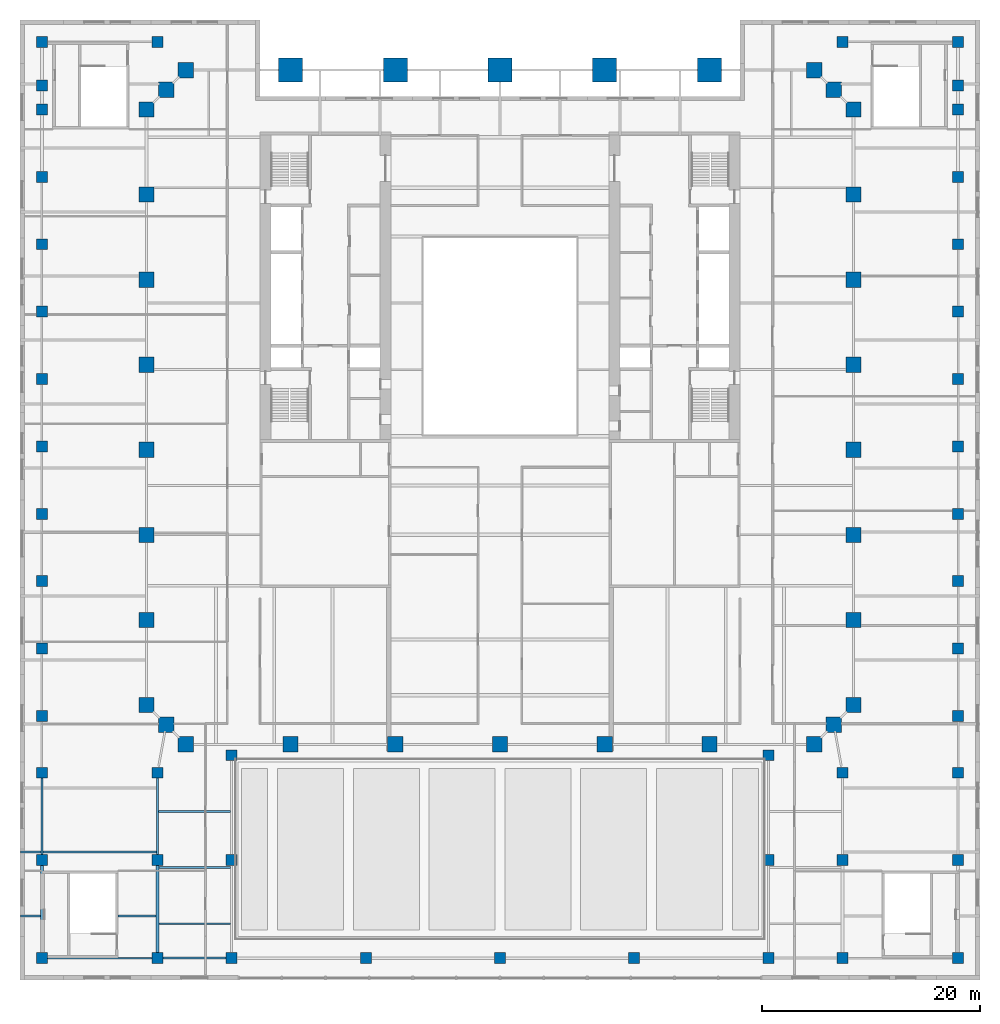
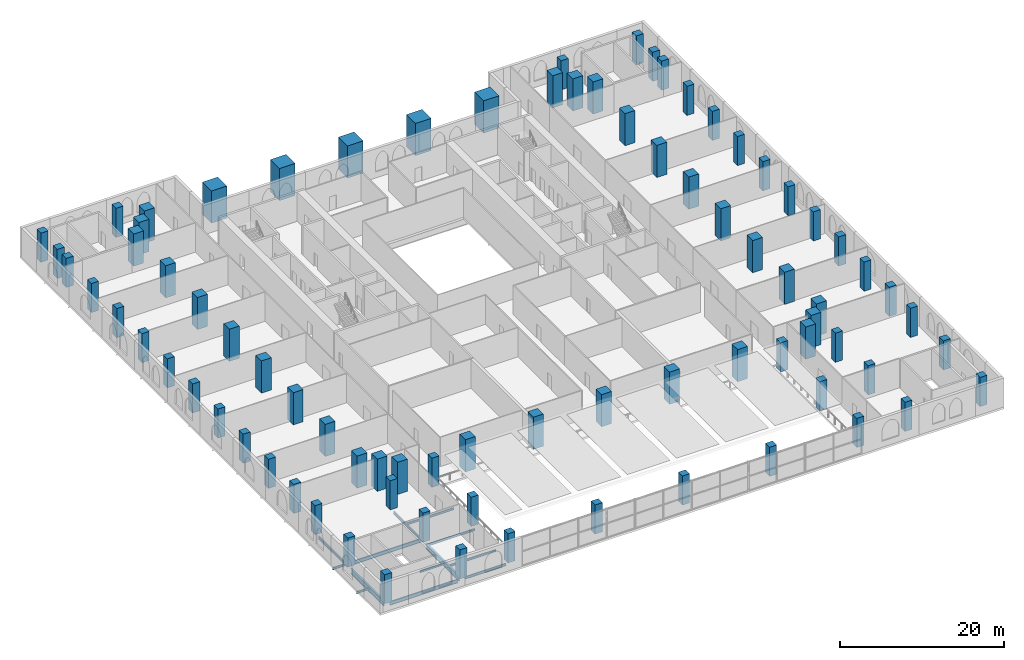
# One storey, part 1 of 18: 81 columns, 13 beams.
"""IFC4 building model written with IfcOpenShell, lengths in metres."""

from ifc_helpers import new_model, si_unit, direction, frame, origin, origin_2d, place, context, subcontext, project, spatial, rectangle, i_section, extrude, material, material_profile, profile_set, type_object, element, save


model = new_model("IFC4")

# Units and contexts
model_context = context("Model", 3, precision=1e-05, world=origin(), true_north=direction((0.0, 1.0)))
body_context = subcontext(model_context, "Body", "Model", "MODEL_VIEW")
ifc_project = project(units=[si_unit("LENGTHUNIT", "METRE"), si_unit("AREAUNIT", "SQUARE_METRE"), si_unit("VOLUMEUNIT", "CUBIC_METRE"), si_unit("PLANEANGLEUNIT", "RADIAN"), si_unit("MASSUNIT", "GRAM", prefix="KILO")], contexts=[model_context])

# Site, building, storey
site_placement = place(None, origin())
site = spatial("IfcSite", under=ifc_project, at=site_placement, CompositionType="ELEMENT")
building_placement = place(site_placement, origin())
building = spatial("IfcBuilding", under=site, at=building_placement, Name="Ogive Exchange Tower", CompositionType="ELEMENT")
storey_placement = place(building_placement, frame((0.0, 0.0, 28.800048828125)))
storey = spatial("IfcBuildingStorey", under=building, at=storey_placement, Name="L05", CompositionType="ELEMENT", Elevation=28.800048828125)

# Columns
ifc_material_1 = material(Name="Concrete C70/85", Category="concrete")
ifc_material_profile_1 = material_profile(ifc_material_1, rectangle(XDim=1.0, YDim=1.0, at=origin_2d()), Name="RC 1000x1000")
ifc_profile_set_1 = profile_set([ifc_material_profile_1], Name="Concrete C70/85")
column_type_1 = type_object("IfcColumnType", Name="RC column 1000x1000", PredefinedType="COLUMN", material=ifc_profile_set_1)
for number, where, z_axis, x_axis, name in (
    (1, (-42.0, -50.0, 0.0), (0.0, 0.0, 1.0), (1.0, 0.0, 0.0), "Podium column"),
    (2, (-31.39990234375, -50.0, 0.0), (0.0, 0.0, 1.0), (1.0, 0.0, 0.0), "Podium column"),
    (3, (-24.60009765625, -50.0, 0.0), (0.0, 0.0, 1.0), (1.0, 0.0, 0.0), "Podium column"),
    (4, (-12.300048828125, -50.0, 0.0), (0.0, 0.0, 1.0), (1.0, 0.0, 0.0), "Podium column"),
    (5, (0.0, -50.0, 0.0), (0.0, 0.0, 1.0), (1.0, 0.0, 0.0), "Podium column"),
    (6, (12.300048828125, -50.0, 0.0), (0.0, 0.0, 1.0), (1.0, 0.0, 0.0), "Podium column"),
    (7, (24.60009765625, -50.0, 0.0), (0.0, 0.0, 1.0), (1.0, 0.0, 0.0), "Podium column"),
    (8, (31.39990234375, -50.0, 0.0), (0.0, 0.0, 1.0), (1.0, 0.0, 0.0), "Podium column"),
    (9, (42.0, -50.0, 0.0), (0.0, 0.0, 1.0), (1.0, 0.0, 0.0), "Podium column"),
    (10, (-42.0, -41.0, 0.0), (0.0, 0.0, 1.0), (1.0, 0.0, 0.0), "Podium column"),
    (11, (-31.39990234375, -41.0, 0.0), (0.0, 0.0, 1.0), (1.0, 0.0, 0.0), "Podium column"),
    (12, (-24.60009765625, -41.0, 0.0), (0.0, 0.0, 1.0), (1.0, 0.0, 0.0), "Podium column"),
    (13, (24.60009765625, -41.0, 0.0), (0.0, 0.0, 1.0), (1.0, 0.0, 0.0), "Podium column"),
    (14, (31.39990234375, -41.0, 0.0), (0.0, 0.0, 1.0), (1.0, 0.0, 0.0), "Podium column"),
    (15, (42.0, -41.0, 0.0), (0.0, 0.0, 1.0), (1.0, 0.0, 0.0), "Podium column"),
    (16, (-42.0, -33.0, 0.0), (0.0, 0.0, 1.0), (1.0, 0.0, 0.0), "Podium column"),
    (17, (-31.39990234375, -33.0, 0.0), (0.0, 0.0, 1.0), (1.0, 0.0, 0.0), "Podium column"),
    (18, (31.39990234375, -33.0, 0.0), (0.0, 0.0, 1.0), (1.0, 0.0, 0.0), "Podium column"),
    (19, (42.0, -33.0, 0.0), (0.0, 0.0, 1.0), (1.0, 0.0, 0.0), "Podium column"),
    (20, (-24.60009765625, -31.39990234375, 0.0), (0.0, 0.0, 1.0), (1.0, 0.0, 0.0), "Podium column"),
    (21, (24.60009765625, -31.39990234375, 0.0), (0.0, 0.0, 1.0), (1.0, 0.0, 0.0), "Podium column"),
    (22, (-42.0, -27.800048828125, 0.0), (0.0, 0.0, 1.0), (1.0, 0.0, 0.0), "Podium column"),
    (23, (42.0, -27.800048828125, 0.0), (0.0, 0.0, 1.0), (1.0, 0.0, 0.0), "Podium column"),
    (24, (-42.0, -21.6201171875, 0.0), (0.0, 0.0, 1.0), (1.0, 0.0, 0.0), "Podium column"),
    (25, (42.0, -21.6201171875, 0.0), (0.0, 0.0, 1.0), (1.0, 0.0, 0.0), "Podium column"),
    (26, (-42.0, -15.43994140625, 0.0), (0.0, 0.0, 1.0), (1.0, 0.0, 0.0), "Podium column"),
    (27, (42.0, -15.43994140625, 0.0), (0.0, 0.0, 1.0), (1.0, 0.0, 0.0), "Podium column"),
    (28, (-42.0, -9.27001953125, 0.0), (0.0, 0.0, 1.0), (1.0, 0.0, 0.0), "Podium column"),
    (29, (42.0, -9.27001953125, 0.0), (0.0, 0.0, 1.0), (1.0, 0.0, 0.0), "Podium column"),
    (30, (-42.0, -3.090087890625, 0.0), (0.0, 0.0, 1.0), (1.0, 0.0, 0.0), "Podium column"),
    (31, (42.0, -3.090087890625, 0.0), (0.0, 0.0, 1.0), (1.0, 0.0, 0.0), "Podium column"),
    (32, (-42.0, 3.090087890625, 0.0), (0.0, 0.0, 1.0), (1.0, 0.0, 0.0), "Podium column"),
    (33, (42.0, 3.090087890625, 0.0), (0.0, 0.0, 1.0), (1.0, 0.0, 0.0), "Podium column"),
    (34, (-42.0, 9.27001953125, 0.0), (0.0, 0.0, 1.0), (1.0, 0.0, 0.0), "Podium column"),
    (35, (42.0, 9.27001953125, 0.0), (0.0, 0.0, 1.0), (1.0, 0.0, 0.0), "Podium column"),
    (36, (-42.0, 15.43994140625, 0.0), (0.0, 0.0, 1.0), (1.0, 0.0, 0.0), "Podium column"),
    (37, (42.0, 15.43994140625, 0.0), (0.0, 0.0, 1.0), (1.0, 0.0, 0.0), "Podium column"),
    (38, (-42.0, 21.6201171875, 0.0), (0.0, 0.0, 1.0), (1.0, 0.0, 0.0), "Podium column"),
    (39, (42.0, 21.6201171875, 0.0), (0.0, 0.0, 1.0), (1.0, 0.0, 0.0), "Podium column"),
    (40, (-42.0, 27.800048828125, 0.0), (0.0, 0.0, 1.0), (1.0, 0.0, 0.0), "Podium column"),
    (41, (42.0, 27.800048828125, 0.0), (0.0, 0.0, 1.0), (1.0, 0.0, 0.0), "Podium column"),
    (42, (-42.0, 30.0, 0.0), (0.0, 0.0, 1.0), (1.0, 0.0, 0.0), "Podium column"),
    (43, (42.0, 30.0, 0.0), (0.0, 0.0, 1.0), (1.0, 0.0, 0.0), "Podium column"),
    (44, (-42.0, 34.0, 0.0), (0.0, 0.0, 1.0), (1.0, 0.0, 0.0), "Podium column"),
    (45, (-31.39990234375, 34.0, 0.0), (0.0, 0.0, 1.0), (1.0, 0.0, 0.0), "Podium column"),
    (46, (31.39990234375, 34.0, 0.0), (0.0, 0.0, 1.0), (1.0, 0.0, 0.0), "Podium column"),
    (47, (42.0, 34.0, 0.0), (0.0, 0.0, 1.0), (1.0, 0.0, 0.0), "Podium column"),
):
    element("IfcColumn", number, at=place(storey_placement, frame(where, z_axis=z_axis, x_axis=x_axis)), inside=storey, type_object=column_type_1, Name=name, PredefinedType="COLUMN", context=body_context, shape_type="SweptSolid", body=[
        extrude(rectangle(XDim=1.0, YDim=1.0, at=origin_2d()), origin(), (0.0, 0.0, 1.0), 4.349853515625),
    ])
ifc_material_profile_2 = material_profile(ifc_material_1, rectangle(XDim=1.39990234375, YDim=1.39990234375, at=origin_2d()), Name="RC 1400x1400")
ifc_profile_set_2 = profile_set([ifc_material_profile_2], Name="Concrete C70/85")
column_type_2 = type_object("IfcColumnType", Name="RC column 1400x1400", PredefinedType="COLUMN", material=ifc_profile_set_2)
for number, where, z_axis, x_axis, name in (
    (48, (-28.800048828125, -30.39990234375, 0.0), (0.0, 0.0, 1.0), (1.0, 0.0, 0.0), "Leg column"),
    (49, (-19.199951171875, -30.39990234375, 0.0), (0.0, 0.0, 1.0), (1.0, 0.0, 0.0), "Leg column"),
    (50, (-9.60009765625, -30.39990234375, 0.0), (0.0, 0.0, 1.0), (1.0, 0.0, 0.0), "Leg column"),
    (51, (0.0, -30.39990234375, 0.0), (0.0, 0.0, 1.0), (1.0, 0.0, 0.0), "Leg column"),
    (52, (9.60009765625, -30.39990234375, 0.0), (0.0, 0.0, 1.0), (1.0, 0.0, 0.0), "Leg column"),
    (53, (19.199951171875, -30.39990234375, 0.0), (0.0, 0.0, 1.0), (1.0, 0.0, 0.0), "Leg column"),
    (54, (28.800048828125, -30.39990234375, 0.0), (0.0, 0.0, 1.0), (1.0, 0.0, 0.0), "Leg column"),
    (55, (-30.60009765625, -28.60009765625, 0.0), (0.0, 0.0, 1.0), (1.0, 0.0, 0.0), "Leg column"),
    (56, (30.60009765625, -28.60009765625, 0.0), (0.0, 0.0, 1.0), (1.0, 0.0, 0.0), "Leg column"),
    (57, (-32.39990234375, -26.800048828125, 0.0), (0.0, 0.0, 1.0), (1.0, 0.0, 0.0), "Leg column"),
    (58, (32.39990234375, -26.800048828125, 0.0), (0.0, 0.0, 1.0), (1.0, 0.0, 0.0), "Leg column"),
    (59, (-32.39990234375, -19.0, 0.0), (0.0, 0.0, 1.0), (1.0, 0.0, 0.0), "Leg column"),
    (60, (32.39990234375, -19.0, 0.0), (0.0, 0.0, 1.0), (1.0, 0.0, 0.0), "Leg column"),
    (61, (-32.39990234375, -11.199951171875, 0.0), (0.0, 0.0, 1.0), (1.0, 0.0, 0.0), "Leg column"),
    (62, (32.39990234375, -11.199951171875, 0.0), (0.0, 0.0, 1.0), (1.0, 0.0, 0.0), "Leg column"),
    (63, (-32.39990234375, -3.39990234375, 0.0), (0.0, 0.0, 1.0), (1.0, 0.0, 0.0), "Leg column"),
    (64, (32.39990234375, -3.39990234375, 0.0), (0.0, 0.0, 1.0), (1.0, 0.0, 0.0), "Leg column"),
    (65, (-32.39990234375, 4.39990234375, 0.0), (0.0, 0.0, 1.0), (1.0, 0.0, 0.0), "Leg column"),
    (66, (32.39990234375, 4.39990234375, 0.0), (0.0, 0.0, 1.0), (1.0, 0.0, 0.0), "Leg column"),
    (67, (-32.39990234375, 12.199951171875, 0.0), (0.0, 0.0, 1.0), (1.0, 0.0, 0.0), "Leg column"),
    (68, (32.39990234375, 12.199951171875, 0.0), (0.0, 0.0, 1.0), (1.0, 0.0, 0.0), "Leg column"),
    (69, (-32.39990234375, 20.0, 0.0), (0.0, 0.0, 1.0), (1.0, 0.0, 0.0), "Leg column"),
    (70, (32.39990234375, 20.0, 0.0), (0.0, 0.0, 1.0), (1.0, 0.0, 0.0), "Leg column"),
    (71, (-32.39990234375, 27.800048828125, 0.0), (0.0, 0.0, 1.0), (1.0, 0.0, 0.0), "Leg column"),
    (72, (32.39990234375, 27.800048828125, 0.0), (0.0, 0.0, 1.0), (1.0, 0.0, 0.0), "Leg column"),
    (73, (-30.60009765625, 29.60009765625, 0.0), (0.0, 0.0, 1.0), (1.0, 0.0, 0.0), "Leg column"),
    (74, (30.60009765625, 29.60009765625, 0.0), (0.0, 0.0, 1.0), (1.0, 0.0, 0.0), "Leg column"),
    (75, (-28.800048828125, 31.39990234375, 0.0), (0.0, 0.0, 1.0), (1.0, 0.0, 0.0), "Leg column"),
    (76, (28.800048828125, 31.39990234375, 0.0), (0.0, 0.0, 1.0), (1.0, 0.0, 0.0), "Leg column"),
):
    element("IfcColumn", number, at=place(storey_placement, frame(where, z_axis=z_axis, x_axis=x_axis)), inside=storey, type_object=column_type_2, Name=name, PredefinedType="COLUMN", context=body_context, shape_type="SweptSolid", body=[
        extrude(rectangle(XDim=1.39990234375, YDim=1.39990234375, at=origin_2d()), origin(), (0.0, 0.0, 1.0), 4.800048828125),
    ])
ifc_material_profile_3 = material_profile(ifc_material_1, rectangle(XDim=2.199951171875, YDim=2.199951171875, at=origin_2d()), Name="RC 2200x2200")
ifc_profile_set_3 = profile_set([ifc_material_profile_3], Name="Concrete C70/85")
column_type_3 = type_object("IfcColumnType", Name="RC pier 2200x2200", PredefinedType="COLUMN", material=ifc_profile_set_3)
for number, where, z_axis, x_axis, name in (
    (77, (-19.199951171875, 31.39990234375, 0.0), (0.0, 0.0, 1.0), (1.0, 0.0, 0.0), "Entrance pier"),
    (78, (-9.60009765625, 31.39990234375, 0.0), (0.0, 0.0, 1.0), (1.0, 0.0, 0.0), "Entrance pier"),
    (79, (0.0, 31.39990234375, 0.0), (0.0, 0.0, 1.0), (1.0, 0.0, 0.0), "Entrance pier"),
    (80, (9.60009765625, 31.39990234375, 0.0), (0.0, 0.0, 1.0), (1.0, 0.0, 0.0), "Entrance pier"),
    (81, (19.199951171875, 31.39990234375, 0.0), (0.0, 0.0, 1.0), (1.0, 0.0, 0.0), "Entrance pier"),
):
    element("IfcColumn", number, at=place(storey_placement, frame(where, z_axis=z_axis, x_axis=x_axis)), inside=storey, type_object=column_type_3, Name=name, PredefinedType="COLUMN", context=body_context, shape_type="SweptSolid", body=[
        extrude(rectangle(XDim=2.199951171875, YDim=2.199951171875, at=origin_2d()), origin(), (0.0, 0.0, 1.0), 4.800048828125),
    ])

# Beams
ifc_material_2 = material(Name="Steel ASTM A992 Gr50", Category="steel")
ifc_material_profile_4 = material_profile(ifc_material_2, i_section(OverallWidth=0.1650390625, OverallDepth=0.31005859375, WebThickness=0.005859375, FlangeThickness=0.009765625, at=origin_2d()), Name="W310x38.7")
ifc_profile_set_4 = profile_set([ifc_material_profile_4], Name="Steel ASTM A992 Gr50")
beam_type_1 = type_object("IfcBeamType", Name="Floor beam W310x38.7", PredefinedType="JOIST", material=ifc_profile_set_4)
beam_1_placement = place(storey_placement, frame((-43.949951171875, -46.13330078125, -0.455078125), z_axis=(1.0, 0.0, 0.0), x_axis=(0.0, 1.0, 0.0)))
element("IfcBeam", 82, at=beam_1_placement, inside=storey, type_object=beam_type_1, Name="Floor beam", PredefinedType="JOIST", context=body_context, shape_type="SweptSolid", body=[
    extrude(i_section(OverallWidth=0.1650390625, OverallDepth=0.31005859375, WebThickness=0.005859375, FlangeThickness=0.009765625, at=origin_2d()), origin(), (0.0, 0.0, 1.0), 1.81640625),
])
beam_2_placement = place(storey_placement, frame((-35.0, -46.13330078125, -0.455078125), z_axis=(1.0, 0.0, 0.0), x_axis=(0.0, 1.0, 0.0)))
element("IfcBeam", 83, at=beam_2_placement, inside=storey, type_object=beam_type_1, Name="Floor beam", PredefinedType="JOIST", context=body_context, shape_type="SweptSolid", body=[
    extrude(i_section(OverallWidth=0.1650390625, OverallDepth=0.31005859375, WebThickness=0.005859375, FlangeThickness=0.009765625, at=origin_2d()), origin(), (0.0, 0.0, 1.0), 3.466552734375),
])
beam_3_placement = place(storey_placement, frame((-43.949951171875, -40.2666015625, -0.455078125), z_axis=(1.0, 0.0, 0.0), x_axis=(0.0, 1.0, 0.0)))
element("IfcBeam", 84, at=beam_3_placement, inside=storey, type_object=beam_type_1, Name="Floor beam", PredefinedType="JOIST", context=body_context, shape_type="SweptSolid", body=[
    extrude(i_section(OverallWidth=0.1650390625, OverallDepth=0.31005859375, WebThickness=0.005859375, FlangeThickness=0.009765625, at=origin_2d()), origin(), (0.0, 0.0, 1.0), 1.86083984375),
])
for number, where, z_axis, x_axis, name in (
    (85, (-31.2666015625, -46.85009765625, -0.455078125), (1.0, 0.0, 0.0), (0.0, 1.0, 0.0), "Floor beam"),
    (86, (-31.2666015625, -41.699951171875, -0.455078125), (1.0, 0.0, 0.0), (0.0, 1.0, 0.0), "Floor beam"),
):
    element("IfcBeam", number, at=place(storey_placement, frame(where, z_axis=z_axis, x_axis=x_axis)), inside=storey, type_object=beam_type_1, Name=name, PredefinedType="JOIST", context=body_context, shape_type="SweptSolid", body=[
        extrude(i_section(OverallWidth=0.1650390625, OverallDepth=0.31005859375, WebThickness=0.005859375, FlangeThickness=0.009765625, at=origin_2d()), origin(), (0.0, 0.0, 1.0), 6.571044921875),
    ])
beam_4_placement = place(storey_placement, frame((-31.31103515625, -36.550048828125, -0.455078125), z_axis=(1.0, 0.0, 0.0), x_axis=(0.0, 1.0, 0.0)))
element("IfcBeam", 87, at=beam_4_placement, inside=storey, type_object=beam_type_1, Name="Floor beam", PredefinedType="JOIST", context=body_context, shape_type="SweptSolid", body=[
    extrude(i_section(OverallWidth=0.1650390625, OverallDepth=0.31005859375, WebThickness=0.005859375, FlangeThickness=0.009765625, at=origin_2d()), origin(), (0.0, 0.0, 1.0), 6.62744140625),
])
ifc_material_profile_5 = material_profile(ifc_material_2, i_section(OverallWidth=0.1669921875, OverallDepth=0.535888671875, WebThickness=0.01025390625, FlangeThickness=0.0166015625, at=origin_2d()), Name="W530x85")
ifc_profile_set_5 = profile_set([ifc_material_profile_5], Name="Steel ASTM A992 Gr50")
beam_type_2 = type_object("IfcBeamType", Name="Floor beam W530x85", PredefinedType="JOIST", material=ifc_profile_set_5)
beam_5_placement = place(storey_placement, frame((-41.910888671875, -40.2666015625, -0.568115234375), z_axis=(1.0, 0.0, 0.0), x_axis=(0.0, 1.0, 0.0)))
element("IfcBeam", 88, at=beam_5_placement, inside=storey, type_object=beam_type_2, Name="Floor beam", PredefinedType="JOIST", context=body_context, shape_type="SweptSolid", body=[
    extrude(i_section(OverallWidth=0.1669921875, OverallDepth=0.535888671875, WebThickness=0.01025390625, FlangeThickness=0.0166015625, at=origin_2d()), origin(), (0.0, 0.0, 1.0), 10.421875),
])
ifc_material_profile_6 = material_profile(ifc_material_2, i_section(OverallWidth=0.1708984375, OverallDepth=0.35595703125, WebThickness=0.00732421875, FlangeThickness=0.01171875, at=origin_2d()), Name="W360x51")
ifc_profile_set_6 = profile_set([ifc_material_profile_6], Name="Steel ASTM A992 Gr50")
beam_type_3 = type_object("IfcBeamType", Name="Girder W360x51", PredefinedType="BEAM", material=ifc_profile_set_6)
beam_6_placement = place(storey_placement, frame((-30.89990234375, -50.0, -0.47802734375), z_axis=(1.0, 0.0, 0.0), x_axis=(0.0, 1.0, 0.0)))
element("IfcBeam", 89, at=beam_6_placement, inside=storey, type_object=beam_type_3, Name="Girder", PredefinedType="BEAM", context=body_context, shape_type="SweptSolid", body=[
    extrude(i_section(OverallWidth=0.1708984375, OverallDepth=0.35595703125, WebThickness=0.00732421875, FlangeThickness=0.01171875, at=origin_2d()), origin(), (0.0, 0.0, 1.0), 5.7998046875),
])
ifc_material_profile_7 = material_profile(ifc_material_2, i_section(OverallWidth=0.177978515625, OverallDepth=0.406005859375, WebThickness=0.0078125, FlangeThickness=0.0126953125, at=origin_2d()), Name="W410x60")
ifc_profile_set_7 = profile_set([ifc_material_profile_7], Name="Steel ASTM A992 Gr50")
beam_type_4 = type_object("IfcBeamType", Name="Girder W410x60", PredefinedType="BEAM", material=ifc_profile_set_7)
for number, where, z_axis, x_axis, name in (
    (90, (-31.39990234375, -40.5, -0.5029296875), (0.0, 1.0, 0.0), (-1.0, 0.0, 0.0), "Girder"),
    (91, (-42.0, -40.5, -0.5029296875), (0.0, 1.0, 0.0), (-1.0, 0.0, 0.0), "Girder"),
):
    element("IfcBeam", number, at=place(storey_placement, frame(where, z_axis=z_axis, x_axis=x_axis)), inside=storey, type_object=beam_type_4, Name=name, PredefinedType="BEAM", context=body_context, shape_type="SweptSolid", body=[
        extrude(i_section(OverallWidth=0.177978515625, OverallDepth=0.406005859375, WebThickness=0.0078125, FlangeThickness=0.0126953125, at=origin_2d()), origin(), (0.0, 0.0, 1.0), 7.0),
    ])
ifc_material_profile_8 = material_profile(ifc_material_2, i_section(OverallWidth=0.1669921875, OverallDepth=0.535888671875, WebThickness=0.01025390625, FlangeThickness=0.0166015625, at=origin_2d()), Name="W530x85")
ifc_profile_set_8 = profile_set([ifc_material_profile_8], Name="Steel ASTM A992 Gr50")
beam_type_5 = type_object("IfcBeamType", Name="Girder W530x85", PredefinedType="BEAM", material=ifc_profile_set_8)
beam_7_placement = place(storey_placement, frame((-41.5, -50.0, -0.568115234375), z_axis=(1.0, 0.0, 0.0), x_axis=(0.0, 1.0, 0.0)))
element("IfcBeam", 92, at=beam_7_placement, inside=storey, type_object=beam_type_5, Name="Girder", PredefinedType="BEAM", context=body_context, shape_type="SweptSolid", body=[
    extrude(i_section(OverallWidth=0.1669921875, OverallDepth=0.535888671875, WebThickness=0.01025390625, FlangeThickness=0.0166015625, at=origin_2d()), origin(), (0.0, 0.0, 1.0), 9.60009765625),
])
ifc_material_profile_9 = material_profile(ifc_material_2, i_section(OverallWidth=0.26708984375, OverallDepth=0.75390625, WebThickness=0.01318359375, FlangeThickness=0.01708984375, at=origin_2d()), Name="W760x147")
ifc_profile_set_9 = profile_set([ifc_material_profile_9], Name="Steel ASTM A992 Gr50")
beam_type_6 = type_object("IfcBeamType", Name="Girder W760x147", PredefinedType="BEAM", material=ifc_profile_set_9)
for number, where, z_axis, x_axis, name in (
    (93, (-31.39990234375, -49.5, -0.677001953125), (0.0, 1.0, 0.0), (-1.0, 0.0, 0.0), "Girder"),
    (94, (-42.0, -49.5, -0.677001953125), (0.0, 1.0, 0.0), (-1.0, 0.0, 0.0), "Girder"),
):
    element("IfcBeam", number, at=place(storey_placement, frame(where, z_axis=z_axis, x_axis=x_axis)), inside=storey, type_object=beam_type_6, Name=name, PredefinedType="BEAM", context=body_context, shape_type="SweptSolid", body=[
        extrude(i_section(OverallWidth=0.26708984375, OverallDepth=0.75390625, WebThickness=0.01318359375, FlangeThickness=0.01708984375, at=origin_2d()), origin(), (0.0, 0.0, 1.0), 8.0),
    ])

save(model, "model.ifc")
